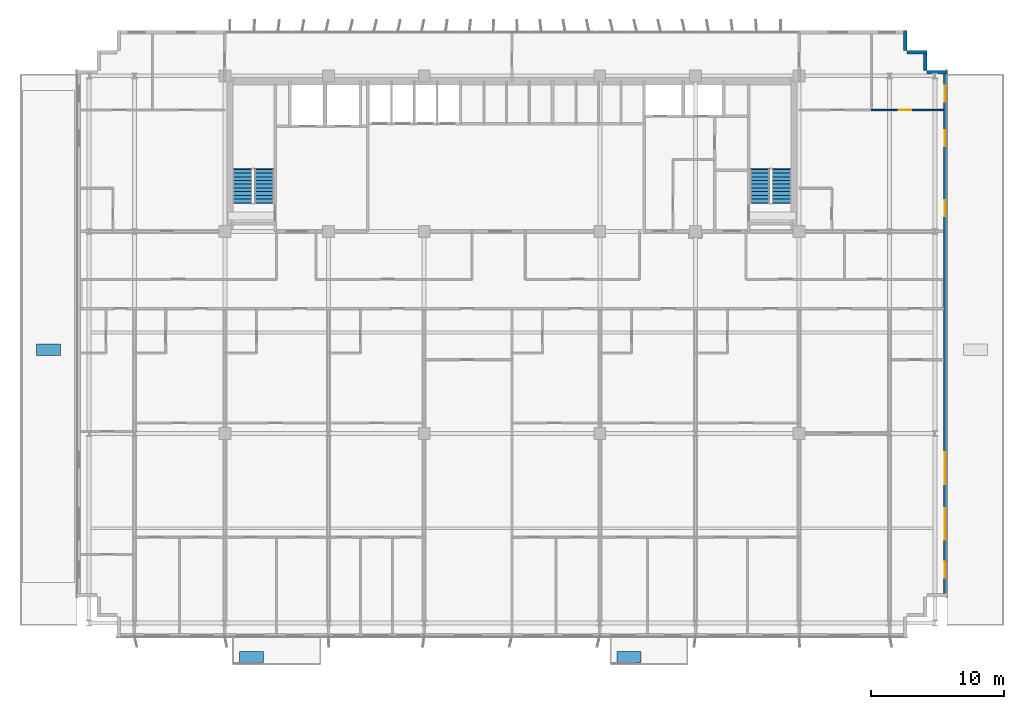
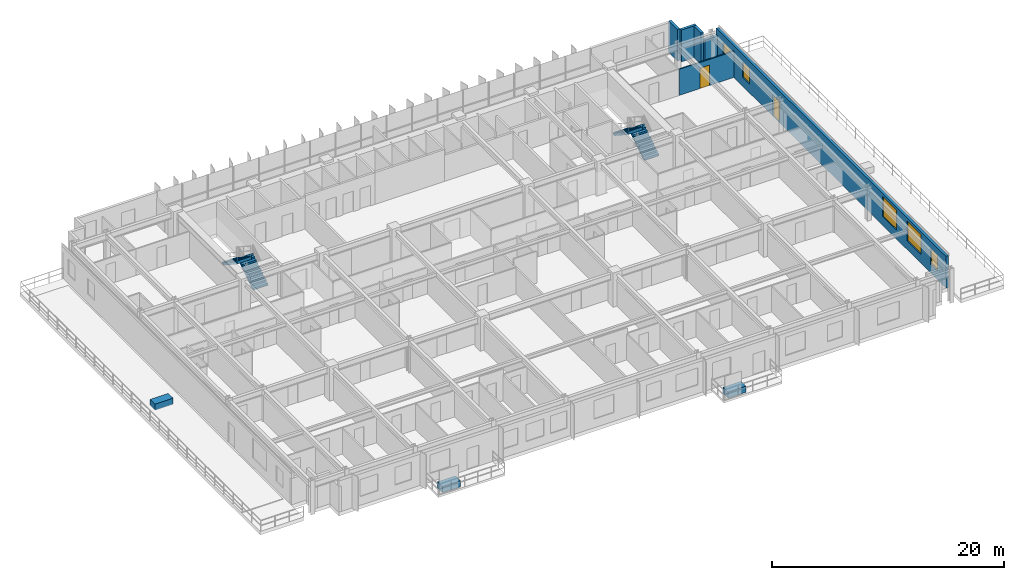
# One storey, part 22 of 26: 6 walls, 5 windows, 4 stair flights, 3 discrete accessories, 2 doors, 7 openings, 2 elements without a shape of their own.
"""IFC4 building model written with IfcOpenShell, lengths in metres."""

from ifc_helpers import new_model, si_unit, direction, frame, frame_2d, origin, origin_2d, place, context, subcontext, project, spatial, polyline, rectangle, outline, extrude, source, transform, mapped, material, layer, layer_set, type_object, element, fill, aggregate, save


model = new_model("IFC4")

# Units and contexts
model_context = context("Model", 3, precision=1e-05, world=origin(), true_north=direction((0.0, 1.0)))
body_context = subcontext(model_context, "Body", "Model", "MODEL_VIEW")
ifc_project = project(units=[si_unit("LENGTHUNIT", "METRE"), si_unit("AREAUNIT", "SQUARE_METRE"), si_unit("VOLUMEUNIT", "CUBIC_METRE"), si_unit("PLANEANGLEUNIT", "RADIAN"), si_unit("MASSUNIT", "GRAM", prefix="KILO")], contexts=[model_context])

# Site, building, storey
site_placement = place(None, origin())
site = spatial("IfcSite", under=ifc_project, at=site_placement, CompositionType="ELEMENT")
building_placement = place(site_placement, origin())
building = spatial("IfcBuilding", under=site, at=building_placement, Name="Trelvane Seafront Commons", CompositionType="ELEMENT")
storey_placement = place(building_placement, frame((0.0, 0.0, 23.5)))
storey = spatial("IfcBuildingStorey", under=building, at=storey_placement, Name="L05", CompositionType="ELEMENT", Elevation=23.5)

# Walls
ifc_material_1 = material(Name="Precast concrete C40/50", Category="concrete")
ifc_layer_1 = layer(ifc_material_1, 0.260009765625, Name="ARCH-WALL-EXT260")
ifc_layer_set_1 = layer_set([ifc_layer_1], Name="Precast concrete C40/50")
wall_type_1 = type_object("IfcWallType", Name="ARCH-WALL-EXT260", PredefinedType="SOLIDWALL", material=ifc_layer_set_1)
for number, where, z_axis, x_axis, name in (
    (1, (66.77001953125, 48.5, 0.0), (0.0, 0.0, 1.0), (0.0, -1.0, 0.0), "EW-L05-00055"),
    (2, (66.89990234375, 46.8701171875, 0.0), (0.0, 0.0, 1.0), (1.0, 0.0, 0.0), "EW-L05-00056"),
    (3, (68.27001953125, 47.0, 0.0), (0.0, 0.0, 1.0), (0.0, -1.0, 0.0), "EW-L05-00057"),
):
    element("IfcWall", number, at=place(storey_placement, frame(where, z_axis=z_axis, x_axis=x_axis)), inside=storey, type_object=wall_type_1, Name=name, PredefinedType="SOLIDWALL", context=body_context, shape_type="SweptSolid", body=[
        extrude(rectangle(XDim=1.5, YDim=0.260009765625, at=frame_2d((0.75, 0.0))), origin(), (0.0, 0.0, 1.0), 3.340087890625),
    ])
wall_1_placement = place(storey_placement, frame((68.39990234375, 45.3701171875, 0.0), z_axis=(0.0, 0.0, 1.0), x_axis=(1.0, 0.0, 0.0)))
element("IfcWall", 4, at=wall_1_placement, inside=storey, type_object=wall_type_1, Name="EW-L05-00058", PredefinedType="SOLIDWALL", context=body_context, shape_type="SweptSolid", body=[
    extrude(rectangle(XDim=1.5, YDim=0.260009765625, at=frame_2d((0.75, 0.0))), origin(), (0.0, 0.0, 1.0), 2.68994140625),
])

# Wall, openings, windows, door
wall_2_placement = place(storey_placement, frame((69.77001953125, 45.5, 0.0), z_axis=(0.0, 0.0, 1.0), x_axis=(0.0, -1.0, 0.0)))
wall_2 = element("IfcWall", 5, at=wall_2_placement, inside=storey, type_object=wall_type_1, Name="EW-L05-00059", PredefinedType="SOLIDWALL", context=body_context, shape_type="SweptSolid", body=[
    extrude(rectangle(XDim=39.60009765625, YDim=0.260009765625, at=frame_2d((19.800048828125, 0.0))), origin(), (0.0, 0.0, 1.0), 3.340087890625),
])
opening_1_placement = place(wall_2_placement, frame((9.7451171875, 0.0, 0.0)))
opening_1 = element("IfcOpeningElement", 6, at=opening_1_placement, cuts=wall_2, Name="Opening TD-L05-14", PredefinedType="OPENING", context=body_context, shape_type="SweptSolid", body=[
    extrude(rectangle(XDim=1.199951171875, YDim=2.199951171875, at=frame_2d((0.60009765625, 1.10009765625))), frame((0.0, 0.139892578125, 0.0), z_axis=(0.0, -1.0, 0.0), x_axis=(1.0, 0.0, 0.0)), (0.0, 0.0, 1.0), 0.280029296875),
])
opening_2_placement = place(wall_2_placement, frame((36.949951171875, 0.0, 0.919921875)))
opening_2 = element("IfcOpeningElement", 7, at=opening_2_placement, cuts=wall_2, Name="Opening W05", PredefinedType="OPENING", context=body_context, shape_type="SweptSolid", body=[
    extrude(rectangle(XDim=1.199951171875, YDim=1.64990234375, at=frame_2d((0.60009765625, 0.824951171875))), frame((0.0, 0.139892578125, 0.0), z_axis=(0.0, -1.0, 0.0), x_axis=(1.0, 0.0, 0.0)), (0.0, 0.0, 1.0), 0.280029296875),
])
opening_3_placement = place(wall_2_placement, frame((32.89990234375, 0.0, 0.919921875)))
opening_3 = element("IfcOpeningElement", 8, at=opening_3_placement, cuts=wall_2, Name="Opening W08", PredefinedType="OPENING", context=body_context, shape_type="SweptSolid", body=[
    extrude(rectangle(XDim=2.39990234375, YDim=2.10009765625, at=frame_2d((1.199951171875, 1.050048828125))), frame((0.0, 0.139892578125, 0.0), z_axis=(0.0, -1.0, 0.0), x_axis=(1.0, 0.0, 0.0)), (0.0, 0.0, 1.0), 0.280029296875),
])
opening_4_placement = place(wall_2_placement, frame((28.699951171875, 0.0, 0.919921875)))
opening_4 = element("IfcOpeningElement", 9, at=opening_4_placement, cuts=wall_2, Name="Opening W08", PredefinedType="OPENING", context=body_context, shape_type="SweptSolid", body=[
    extrude(rectangle(XDim=2.39990234375, YDim=2.10009765625, at=frame_2d((1.199951171875, 1.050048828125))), frame((0.0, 0.139892578125, 0.0), z_axis=(0.0, -1.0, 0.0), x_axis=(1.0, 0.0, 0.0)), (0.0, 0.0, 1.0), 0.280029296875),
])
opening_5_placement = place(wall_2_placement, frame((4.5, 0.0, 0.919921875)))
opening_5 = element("IfcOpeningElement", 10, at=opening_5_placement, cuts=wall_2, Name="Opening W05", PredefinedType="OPENING", context=body_context, shape_type="SweptSolid", body=[
    extrude(rectangle(XDim=1.199951171875, YDim=1.64990234375, at=frame_2d((0.60009765625, 0.824951171875))), frame((0.0, 0.139892578125, 0.0), z_axis=(0.0, -1.0, 0.0), x_axis=(1.0, 0.0, 0.0)), (0.0, 0.0, 1.0), 0.280029296875),
])
opening_6_placement = place(wall_2_placement, frame((1.14990234375, 0.0, 0.919921875)))
opening_6 = element("IfcOpeningElement", 11, at=opening_6_placement, cuts=wall_2, Name="Opening W05", PredefinedType="OPENING", context=body_context, shape_type="SweptSolid", body=[
    extrude(rectangle(XDim=1.199951171875, YDim=1.64990234375, at=frame_2d((0.60009765625, 0.824951171875))), frame((0.0, 0.139892578125, 0.0), z_axis=(0.0, -1.0, 0.0), x_axis=(1.0, 0.0, 0.0)), (0.0, 0.0, 1.0), 0.280029296875),
])
ifc_material_2 = material(Name="Low-E coastal double glazing", Category="glass")
window_type_1 = type_object("IfcWindowType", Name="ARCH-WIN-W08", PartitioningType="SINGLE_PANEL", PredefinedType="WINDOW", material=ifc_material_2)
shared_shape_1 = source(origin(), body_context, "Body", "SweptSolid", [
    extrude(rectangle(XDim=2.39990234375, YDim=2.10009765625, at=frame_2d((1.199951171875, 1.050048828125))), frame((0.0, 0.030029296875, 0.0), z_axis=(0.0, -1.0, 0.0), x_axis=(1.0, 0.0, 0.0)), (0.0, 0.0, 1.0), 0.06005859375),
])
window_1_placement = place(opening_3_placement, origin())
window_1 = element("IfcWindow", 12, at=window_1_placement, inside=storey, type_object=window_type_1, Name="WIN-L05-EW-00083", OverallHeight=2.10009765625, OverallWidth=2.39990234375, PartitioningType="SINGLE_PANEL", PredefinedType="WINDOW", context=body_context, shape_type="MappedRepresentation", body=[
    mapped(shared_shape_1, transform((0.0, 0.0, 0.0), x_axis=(1.0, 0.0, 0.0), y_axis=(0.0, 1.0, 0.0), z_axis=(0.0, 0.0, 1.0), scale=1.0)),
])
fill(opening_3, window_1)
window_2_placement = place(opening_4_placement, origin())
window_2 = element("IfcWindow", 13, at=window_2_placement, inside=storey, type_object=window_type_1, Name="WIN-L05-EW-00084", OverallHeight=2.10009765625, OverallWidth=2.39990234375, PartitioningType="SINGLE_PANEL", PredefinedType="WINDOW", context=body_context, shape_type="MappedRepresentation", body=[
    mapped(shared_shape_1, transform((0.0, 0.0, 0.0), x_axis=(1.0, 0.0, 0.0), y_axis=(0.0, 1.0, 0.0), z_axis=(0.0, 0.0, 1.0), scale=1.0)),
])
fill(opening_4, window_2)
window_type_2 = type_object("IfcWindowType", Name="ARCH-WIN-W05", PartitioningType="SINGLE_PANEL", PredefinedType="WINDOW", material=ifc_material_2)
shared_shape_2 = source(origin(), body_context, "Body", "SweptSolid", [
    extrude(rectangle(XDim=1.199951171875, YDim=1.64990234375, at=frame_2d((0.60009765625, 0.824951171875))), frame((0.0, 0.030029296875, 0.0), z_axis=(0.0, -1.0, 0.0), x_axis=(1.0, 0.0, 0.0)), (0.0, 0.0, 1.0), 0.06005859375),
])
window_3_placement = place(opening_2_placement, origin())
window_3 = element("IfcWindow", 14, at=window_3_placement, inside=storey, type_object=window_type_2, Name="WIN-L05-EW-00082", OverallHeight=1.64990234375, OverallWidth=1.199951171875, PartitioningType="SINGLE_PANEL", PredefinedType="WINDOW", context=body_context, shape_type="MappedRepresentation", body=[
    mapped(shared_shape_2, transform((0.0, 0.0, 0.0), x_axis=(1.0, 0.0, 0.0), y_axis=(0.0, 1.0, 0.0), z_axis=(0.0, 0.0, 1.0), scale=1.0)),
])
fill(opening_2, window_3)
window_4_placement = place(opening_5_placement, origin())
window_4 = element("IfcWindow", 15, at=window_4_placement, inside=storey, type_object=window_type_2, Name="WIN-L05-EW-00085", OverallHeight=1.64990234375, OverallWidth=1.199951171875, PartitioningType="SINGLE_PANEL", PredefinedType="WINDOW", context=body_context, shape_type="MappedRepresentation", body=[
    mapped(shared_shape_2, transform((0.0, 0.0, 0.0), x_axis=(1.0, 0.0, 0.0), y_axis=(0.0, 1.0, 0.0), z_axis=(0.0, 0.0, 1.0), scale=1.0)),
])
fill(opening_5, window_4)
window_5_placement = place(opening_6_placement, origin())
window_5 = element("IfcWindow", 16, at=window_5_placement, inside=storey, type_object=window_type_2, Name="WIN-L05-EW-00086", OverallHeight=1.64990234375, OverallWidth=1.199951171875, PartitioningType="SINGLE_PANEL", PredefinedType="WINDOW", context=body_context, shape_type="MappedRepresentation", body=[
    mapped(shared_shape_2, transform((0.0, 0.0, 0.0), x_axis=(1.0, 0.0, 0.0), y_axis=(0.0, 1.0, 0.0), z_axis=(0.0, 0.0, 1.0), scale=1.0)),
])
fill(opening_6, window_5)
ifc_material_3 = material(Name="Powder-coated aluminium frame", Category="aluminium")
door_type_1 = type_object("IfcDoorType", Name="ARCH-DR-BAL1200", OperationType="NOTDEFINED", PredefinedType="DOOR", material=ifc_material_3)
shared_shape_3 = source(origin(), body_context, "Body", "SweptSolid", [
    extrude(rectangle(XDim=1.199951171875, YDim=2.199951171875, at=frame_2d((0.60009765625, 1.10009765625))), frame((0.0, 0.02490234375, 0.0), z_axis=(0.0, -1.0, 0.0), x_axis=(1.0, 0.0, 0.0)), (0.0, 0.0, 1.0), 0.050048828125),
])
door_1_placement = place(opening_1_placement, origin())
door_1 = element("IfcDoor", 17, at=door_1_placement, inside=storey, type_object=door_type_1, Name="L05 Setback Terrace Access Door", OperationType="SINGLE_SWING_RIGHT", OverallHeight=2.199951171875, OverallWidth=1.199951171875, PredefinedType="DOOR", context=body_context, shape_type="MappedRepresentation", body=[
    mapped(shared_shape_3, transform((0.0, 0.0, 0.0), x_axis=(1.0, 0.0, 0.0), y_axis=(0.0, 1.0, 0.0), z_axis=(0.0, 0.0, 1.0), scale=1.0)),
])
fill(opening_1, door_1)

# Wall, opening, door
ifc_material_4 = material(Name="Gypsum Drywall Acoustic Partition")
ifc_layer_2 = layer(ifc_material_4, 0.1201171875, Name="ARCH-WALL-PART120")
ifc_layer_set_2 = layer_set([ifc_layer_2], Name="Gypsum Drywall Acoustic Partition")
wall_type_2 = type_object("IfcWallType", Name="ARCH-WALL-PART120", PredefinedType="PARTITIONING", material=ifc_layer_set_2)
wall_3_placement = place(storey_placement, frame((64.22509765625, 42.52001953125, 0.0), z_axis=(0.0, 0.0, 1.0), x_axis=(1.0, 0.0, 0.0)))
wall_3 = element("IfcWall", 18, at=wall_3_placement, inside=storey, type_object=wall_type_2, Name="W-L05-NE-KB2-058", PredefinedType="PARTITIONING", context=body_context, shape_type="SweptSolid", body=[
    extrude(rectangle(XDim=5.4248046875, YDim=0.1201171875, at=frame_2d((2.71240234375, 0.0))), origin(), (0.0, 0.0, 1.0), 2.751953125),
])
opening_7_placement = place(wall_3_placement, frame((2.052001953125, 0.0, 0.0)))
opening_7 = element("IfcOpeningElement", 19, at=opening_7_placement, cuts=wall_3, Name="Opening D-L05-28", PredefinedType="OPENING", context=body_context, shape_type="SweptSolid", body=[
    extrude(rectangle(XDim=0.949951171875, YDim=2.14990234375, at=frame_2d((0.47509765625, 1.074951171875))), frame((0.0, 0.070068359375, 0.0), z_axis=(0.0, -1.0, 0.0), x_axis=(1.0, 0.0, 0.0)), (0.0, 0.0, 1.0), 0.14013671875),
])
ifc_material_5 = material(Name="Acoustic timber door leaf", Category="wood")
door_type_2 = type_object("IfcDoorType", Name="ARCH-DR-INT950", OperationType="NOTDEFINED", PredefinedType="DOOR", material=ifc_material_5)
shared_shape_4 = source(origin(), body_context, "Body", "SweptSolid", [
    extrude(rectangle(XDim=0.949951171875, YDim=2.14990234375, at=frame_2d((0.47509765625, 1.074951171875))), frame((0.0, 0.02490234375, 0.0), z_axis=(0.0, -1.0, 0.0), x_axis=(1.0, 0.0, 0.0)), (0.0, 0.0, 1.0), 0.050048828125),
])
door_2_placement = place(opening_7_placement, origin())
door_2 = element("IfcDoor", 20, at=door_2_placement, inside=storey, type_object=door_type_2, Name="L05 Door 28", OperationType="SINGLE_SWING_RIGHT", OverallHeight=2.14990234375, OverallWidth=0.949951171875, PredefinedType="DOOR", context=body_context, shape_type="MappedRepresentation", body=[
    mapped(shared_shape_4, transform((0.0, 0.0, 0.0), x_axis=(1.0, 0.0, 0.0), y_axis=(0.0, 1.0, 0.0), z_axis=(0.0, 0.0, 1.0), scale=1.0)),
])
fill(opening_7, door_2)

# Stair, stair flights
ifc_material_6 = material(Name="Concrete C40/50", Category="concrete")
stair_type_1 = type_object("IfcStairType", Name="ARCH-STR-ST-1-R20-180", PredefinedType="HALF_TURN_STAIR", material=ifc_material_6)
stair_1_placement = place(storey_placement, origin())
stair_1 = element("IfcStair", 21, at=stair_1_placement, inside=storey, type_object=stair_type_1, Name="L05 West Protected Firefighting Exit Stair ST-1", PredefinedType="HALF_TURN_STAIR")
stair_flight_type_1 = type_object("IfcStairFlightType", Name="ARCH-FLG-ST-1-R20-180", PredefinedType="STRAIGHT", material=ifc_material_6)
shared_shape_5 = source(origin(), body_context, "Body", "SweptSolid", [
    extrude(outline(polyline([(-0.050048828125, -0.02001953125), (-0.050048828125, 0.0), (0.0, 0.0), (0.0, 0.179931640625), (0.280029296875, 0.179931640625), (0.280029296875, 0.360107421875), (0.56005859375, 0.360107421875), (0.56005859375, 0.5400390625), (0.840087890625, 0.5400390625), (0.840087890625, 0.719970703125), (1.1201171875, 0.719970703125), (1.1201171875, 0.89990234375), (1.39990234375, 0.89990234375), (1.39990234375, 1.080078125), (1.679931640625, 1.080078125), (1.679931640625, 1.260009765625), (1.9599609375, 1.260009765625), (1.9599609375, 1.43994140625), (2.239990234375, 1.43994140625), (2.239990234375, 1.6201171875), (2.52001953125, 1.6201171875), (2.52001953125, 1.800048828125), (2.570068359375, 1.800048828125), (2.570068359375, 1.650146484375), (2.52001953125, 1.44189453125), (0.277099609375, -0.02001953125), (-0.050048828125, -0.02001953125)])), frame((0.0, 0.72509765625, 0.0), z_axis=(0.0, -1.0, 0.0), x_axis=(1.0, 0.0, 0.0)), (0.0, 0.0, 1.0), 1.449951171875),
])
stair_flight_1_placement = place(storey_placement, frame((18.574951171875, 35.550048828125, 0.0), z_axis=(0.0, 0.0, 1.0), x_axis=(0.0, 1.0, 0.0)))
stair_flight_1 = element("IfcStairFlight", 22, at=stair_flight_1_placement, type_object=stair_flight_type_1, Name="ST-1 flight 1", NumberOfRisers=10, NumberOfTreads=9, PredefinedType="STRAIGHT", RiserHeight=0.18, TreadLength=0.28, context=body_context, shape_type="MappedRepresentation", body=[
    mapped(shared_shape_5, transform((0.0, 0.0, 0.0), x_axis=(1.0, 0.0, 0.0), y_axis=(0.0, 1.0, 0.0), z_axis=(0.0, 0.0, 1.0), scale=1.0)),
])
stair_flight_2_placement = place(storey_placement, frame((16.925048828125, 38.070068359375, 1.800048828125), z_axis=(0.0, 0.0, 1.0), x_axis=(0.0, -1.0, 0.0)))
stair_flight_2 = element("IfcStairFlight", 23, at=stair_flight_2_placement, type_object=stair_flight_type_1, Name="ST-1 flight 2", NumberOfRisers=10, NumberOfTreads=9, PredefinedType="STRAIGHT", RiserHeight=0.18, TreadLength=0.28, context=body_context, shape_type="MappedRepresentation", body=[
    mapped(shared_shape_5, transform((0.0, 0.0, 0.0), x_axis=(1.0, 0.0, 0.0), y_axis=(0.0, 1.0, 0.0), z_axis=(0.0, 0.0, 1.0), scale=1.0)),
])
aggregate(stair_1, [stair_flight_1, stair_flight_2])

stair_type_2 = type_object("IfcStairType", Name="ARCH-STR-ST-2-R20-180", PredefinedType="HALF_TURN_STAIR", material=ifc_material_6)
stair_2_placement = place(storey_placement, origin())
stair_2 = element("IfcStair", 24, at=stair_2_placement, inside=storey, type_object=stair_type_2, Name="L05 East Protected Firefighting Exit Stair ST-2", PredefinedType="HALF_TURN_STAIR")
stair_flight_type_2 = type_object("IfcStairFlightType", Name="ARCH-FLG-ST-2-R20-180", PredefinedType="STRAIGHT", material=ifc_material_6)
stair_flight_3_placement = place(storey_placement, frame((57.47509765625, 35.550048828125, 0.0), z_axis=(0.0, 0.0, 1.0), x_axis=(0.0, 1.0, 0.0)))
stair_flight_3 = element("IfcStairFlight", 25, at=stair_flight_3_placement, type_object=stair_flight_type_2, Name="ST-2 flight 1", NumberOfRisers=10, NumberOfTreads=9, PredefinedType="STRAIGHT", RiserHeight=0.18, TreadLength=0.28, context=body_context, shape_type="MappedRepresentation", body=[
    mapped(shared_shape_5, transform((0.0, 0.0, 0.0), x_axis=(1.0, 0.0, 0.0), y_axis=(0.0, 1.0, 0.0), z_axis=(0.0, 0.0, 1.0), scale=1.0)),
])
stair_flight_4_placement = place(storey_placement, frame((55.824951171875, 38.070068359375, 1.800048828125), z_axis=(0.0, 0.0, 1.0), x_axis=(0.0, -1.0, 0.0)))
stair_flight_4 = element("IfcStairFlight", 26, at=stair_flight_4_placement, type_object=stair_flight_type_2, Name="ST-2 flight 2", NumberOfRisers=10, NumberOfTreads=9, PredefinedType="STRAIGHT", RiserHeight=0.18, TreadLength=0.28, context=body_context, shape_type="MappedRepresentation", body=[
    mapped(shared_shape_5, transform((0.0, 0.0, 0.0), x_axis=(1.0, 0.0, 0.0), y_axis=(0.0, 1.0, 0.0), z_axis=(0.0, 0.0, 1.0), scale=1.0)),
])
aggregate(stair_2, [stair_flight_3, stair_flight_4])

# Discrete accessories
discrete_accessory_type = type_object("IfcDiscreteAccessoryType", Name="ARCH-ACC-PLANTER", PredefinedType="USERDEFINED", material=ifc_material_1)
shared_shape_6 = source(origin(), body_context, "Body", "SweptSolid", [
    extrude(rectangle(XDim=1.800048828125, YDim=0.85009765625, at=origin_2d()), origin(), (0.0, 0.0, 1.0), 0.64990234375),
])
for number, where, z_axis, x_axis, name in (
    (27, (2.35009765625, 24.5, 0.0), (0.0, 0.0, 1.0), (1.0, 0.0, 0.0), "PLN-L05-TR0-005"),
    (28, (17.60009765625, 1.39990234375, 0.0), (0.0, 0.0, 1.0), (1.0, 0.0, 0.0), "PLN-L05-B0-007"),
    (29, (46.0, 1.39990234375, 0.0), (0.0, 0.0, 1.0), (1.0, 0.0, 0.0), "PLN-L05-B1-008"),
):
    element("IfcDiscreteAccessory", number, at=place(storey_placement, frame(where, z_axis=z_axis, x_axis=x_axis)), inside=storey, type_object=discrete_accessory_type, Name=name, ObjectType="BALCONY TREE PLANTER", PredefinedType="USERDEFINED", context=body_context, shape_type="MappedRepresentation", body=[
        mapped(shared_shape_6, transform((0.0, 0.0, 0.0), x_axis=(1.0, 0.0, 0.0), y_axis=(0.0, 1.0, 0.0), z_axis=(0.0, 0.0, 1.0), scale=1.0)),
    ])

save(model, "model.ifc")
